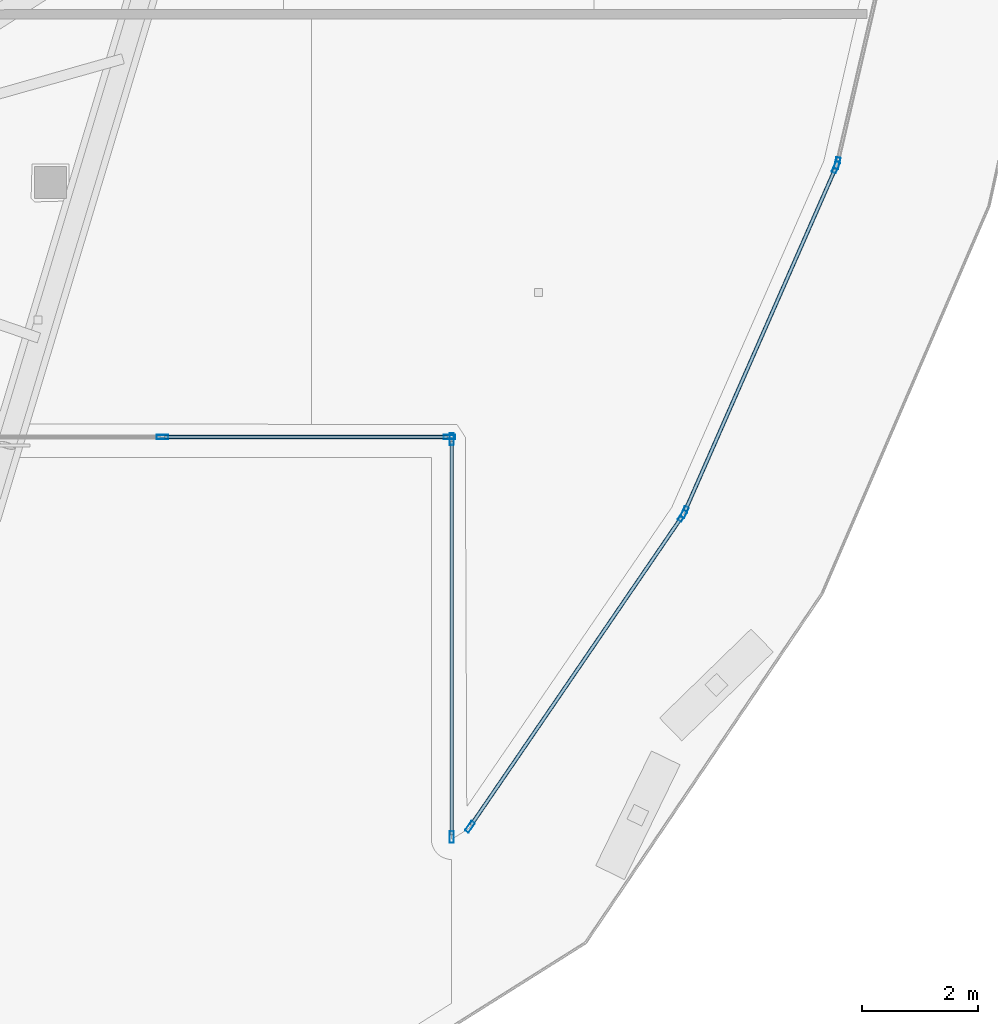
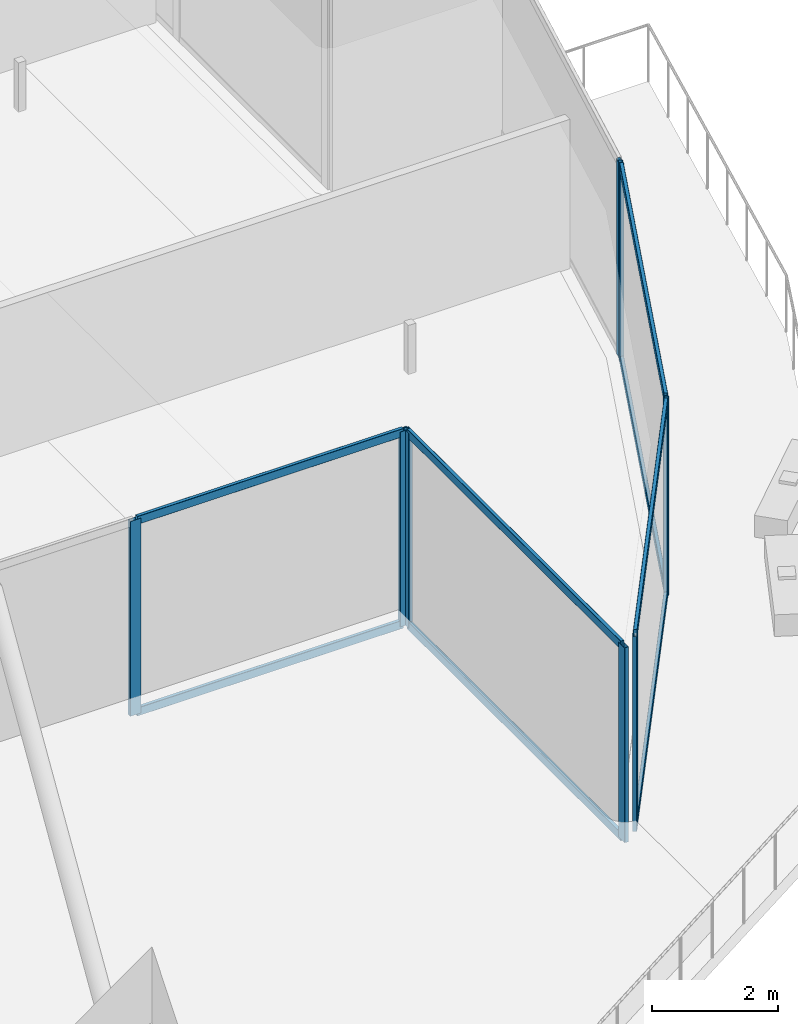
# One storey, part 11 of 38: 17 members, 5 elements without a shape of their own.
"""IFC4 building model written with IfcOpenShell, lengths in metres."""

import ifcopenshell
import ifcopenshell.guid

model = None  # the IFC model being written
_history = None  # IfcOwnerHistory: only IFC2X3 demands one
_inside = {}  # id of a spatial element -> (the spatial element, [elements in it])
_under = {}  # id of a project, library or spatial element -> (it, [spatial elements below it])
_declared = {}  # id of a project -> (the project, [libraries it declares])
_typed = {}  # id of a type object -> (the type object, [elements of that type])
_made_of = {}  # id of a material, layer set ... -> (it, [elements and type objects made of it])


def new_model(schema):
    """Start an empty IFC model of exactly this schema.

    Asked for "IFC4X3", IfcOpenShell would pick the latest addendum, in which some entities
    have other attributes; the version numbers below select the first issue.
    IFC2X3 requires an IfcOwnerHistory on every rooted entity: one is made here for all.
    """
    global model, _history
    if schema == "IFC4X3":
        model = ifcopenshell.file(schema_version=(4, 3, 0, 0))
    else:
        model = ifcopenshell.file(schema=schema)
    _inside.clear()
    _under.clear()
    _declared.clear()
    _typed.clear()
    _made_of.clear()
    _history = None
    if model.schema == "IFC2X3":
        org = make("IfcOrganization", Name="unknown")
        user = make(
            "IfcPersonAndOrganization",
            ThePerson=make("IfcPerson", FamilyName="unknown"),
            TheOrganization=org,
        )
        app = make(
            "IfcApplication",
            ApplicationDeveloper=org,
            Version="unknown",
            ApplicationFullName="unknown",
            ApplicationIdentifier="unknown",
        )
        _history = make(
            "IfcOwnerHistory",
            OwningUser=user,
            OwningApplication=app,
            ChangeAction="ADDED",
            CreationDate=0,
        )
    return model


def make(cls, **values):
    """One entity of the class cls with the attributes given. An attribute that is None is left unset."""
    return model.create_entity(
        cls, **{name: value for name, value in values.items() if value is not None}
    )


def rooted(cls, **values):
    """An entity with a GlobalId (a new one), such as an element, a storey or a relation."""
    return make(cls, GlobalId=ifcopenshell.guid.new(), OwnerHistory=_history, **values)


def si_unit(unit_type, name, prefix=None):
    """IfcSIUnit, for example si_unit("LENGTHUNIT", "METRE", prefix="MILLI")."""
    return make("IfcSIUnit", UnitType=unit_type, Prefix=prefix, Name=name)


def assignment(units):
    """IfcUnitAssignment: the units of a project."""
    return None if units is None else make("IfcUnitAssignment", Units=units)


def point(xyz):
    """IfcCartesianPoint."""
    return None if xyz is None else make("IfcCartesianPoint", Coordinates=xyz)


def direction(xyz):
    """IfcDirection."""
    return None if xyz is None else make("IfcDirection", DirectionRatios=xyz)


def frame(location, z_axis=None, x_axis=None):
    """IfcAxis2Placement3D, a coordinate frame: its origin and axes. An axis left out is left unset."""
    return make(
        "IfcAxis2Placement3D",
        Location=point(location),
        Axis=direction(z_axis),
        RefDirection=direction(x_axis),
    )


def frame_2d(location, x_axis=None):
    """IfcAxis2Placement2D, a coordinate frame in the plane: its origin and x axis."""
    return make(
        "IfcAxis2Placement2D", Location=point(location), RefDirection=direction(x_axis)
    )


def origin():
    """The frame at (0, 0, 0) with its axes left unset."""
    return frame((0.0, 0.0, 0.0))


def origin_2d():
    """The frame at (0, 0) in the plane with its x axis left unset."""
    return frame_2d((0.0, 0.0))


def place(relative_to, where):
    """IfcLocalPlacement: puts the frame where relative to a parent placement (None: the world)."""
    return make(
        "IfcLocalPlacement", PlacementRelTo=relative_to, RelativePlacement=where
    )


def context(
    kind, dimensions, precision=None, world=None, true_north=None, identifier=None
):
    """IfcGeometricRepresentationContext, for example the 3D "Model" context."""
    return make(
        "IfcGeometricRepresentationContext",
        ContextIdentifier=identifier,
        ContextType=kind,
        CoordinateSpaceDimension=dimensions,
        Precision=precision,
        WorldCoordinateSystem=world,
        TrueNorth=true_north,
    )


def subcontext(parent, identifier, kind, view, scale=None):
    """IfcGeometricRepresentationSubContext, for example "Body" below "Model"."""
    return make(
        "IfcGeometricRepresentationSubContext",
        ContextIdentifier=identifier,
        ContextType=kind,
        ParentContext=parent,
        TargetScale=scale,
        TargetView=view,
    )


def project(units=None, contexts=None):
    """IfcProject with its units and contexts."""
    return rooted(
        "IfcProject",
        Name="project",
        RepresentationContexts=contexts,
        UnitsInContext=assignment(units),
    )


def spatial(cls, under=None, at=None, **own):
    """A site, building, storey or space (cls), placed at a placement, below another one or the project."""
    s = rooted(cls, ObjectPlacement=at, **own)
    if under is not None:
        _under.setdefault(under.id(), (under, []))[1].append(s)
    return s


def profile(cls, at=None, kind="AREA", **sizes):
    """A parametric profile (cls). Its sizes go by their IFC names, for example OverallWidth=200.0."""
    return make(cls, ProfileType=kind, Position=at, **sizes)


def hollow_rectangle(**sizes):
    """IfcRectangleHollowProfileDef."""
    return profile("IfcRectangleHollowProfileDef", **sizes)


def extrude(swept, where, along, depth):
    """IfcExtrudedAreaSolid: the profile swept, set in the frame where, extruded along a direction by depth."""
    return make(
        "IfcExtrudedAreaSolid",
        SweptArea=swept,
        Position=where,
        ExtrudedDirection=direction(along),
        Depth=depth,
    )


def shape(context_of_items, identifier, shape_type, items):
    """IfcShapeRepresentation: the items that make up one representation, for example the "Body"."""
    return make(
        "IfcShapeRepresentation",
        ContextOfItems=context_of_items,
        RepresentationIdentifier=identifier,
        RepresentationType=shape_type,
        Items=items,
    )


def material(Name=None, Category=None):
    """IfcMaterial."""
    return make("IfcMaterial", Name=Name, Category=Category)


def layer(
    of_material, thickness, ventilated=None, Name=None, Category=None, Priority=None
):
    """IfcMaterialLayer: one layer of a wall or slab, of a material (None: an air gap)."""
    return make(
        "IfcMaterialLayer",
        Material=of_material,
        LayerThickness=thickness,
        IsVentilated=ventilated,
        Name=Name,
        Category=Category,
        Priority=Priority,
    )


def layer_set(layers, Name=None):
    """IfcMaterialLayerSet."""
    return make("IfcMaterialLayerSet", MaterialLayers=layers, LayerSetName=Name)


def material_profile(
    of_material, cross_section, Name=None, Category=None, Priority=None
):
    """IfcMaterialProfile: a cross section and its material."""
    return make(
        "IfcMaterialProfile",
        Name=Name,
        Material=of_material,
        Profile=cross_section,
        Priority=Priority,
        Category=Category,
    )


def profile_set(profiles, Name=None, composite=None):
    """IfcMaterialProfileSet."""
    return make(
        "IfcMaterialProfileSet",
        Name=Name,
        MaterialProfiles=profiles,
        CompositeProfile=composite,
    )


def made_of(thing, what):
    """Note that an element or type object is made of a material, layer set ...; save() writes the relation."""
    if what is not None:
        _made_of.setdefault(what.id(), (what, []))[1].append(thing)
    return thing


def type_object(cls, material=None, **own):
    """A type object (cls), such as IfcWallType, which elements share."""
    return made_of(rooted(cls, **own), material)


def element(
    cls,
    number,
    at=None,
    inside=None,
    cuts=None,
    type_object=None,
    material=None,
    context=None,
    identifier="Body",
    shape_type=None,
    held_by="IfcProductDefinitionShape",
    body=None,
    shapes=None,
    **own,
):
    """One element of the class cls, such as IfcWall. Its Tag is "e" and its number.

    at: its placement. inside: the storey or other place that contains it. cuts: it is an
    opening in that element (IfcRelVoidsElement). A single representation is given by context,
    identifier, shape_type and body (its items); several are given by shapes. held_by: the class
    of the entity that holds the representations. save() writes the other relations.
    """
    e = rooted(cls, Tag="e%d" % number, ObjectPlacement=at, **own)
    if body is not None:
        shapes = [shape(context, identifier, shape_type, body)]
    if shapes is not None:
        e.Representation = make(held_by, Representations=shapes)
    if inside is not None:
        _inside.setdefault(inside.id(), (inside, []))[1].append(e)
    if cuts is not None:
        rooted(
            "IfcRelVoidsElement", RelatingBuildingElement=cuts, RelatedOpeningElement=e
        )
    if type_object is not None:
        _typed.setdefault(type_object.id(), (type_object, []))[1].append(e)
    return made_of(e, material)


def aggregate(whole, parts):
    """IfcRelAggregates: a whole, such as a stair, and the parts it consists of."""
    return rooted("IfcRelAggregates", RelatingObject=whole, RelatedObjects=parts)


def save(model, path):
    """Write the relations noted so far, then the file.

    IfcRelAggregates (storeys below a building ...), IfcRelContainedInSpatialStructure (elements
    in a storey), IfcRelDefinesByType, IfcRelAssociatesMaterial and IfcRelDeclares: one each for
    every whole, place, type object, material and project.
    """
    for whole, parts in _under.values():
        aggregate(whole, parts)
    for where, things in _inside.values():
        rooted(
            "IfcRelContainedInSpatialStructure",
            RelatedElements=things,
            RelatingStructure=where,
        )
    for kind, things in _typed.values():
        rooted("IfcRelDefinesByType", RelatedObjects=things, RelatingType=kind)
    for what, things in _made_of.values():
        rooted("IfcRelAssociatesMaterial", RelatedObjects=things, RelatingMaterial=what)
    for by, libraries in _declared.values():
        rooted("IfcRelDeclares", RelatingContext=by, RelatedDefinitions=libraries)
    model.write(path)


model = new_model("IFC4")

# Units and contexts
model_context = context("Model", 3, precision=1e-05, world=origin(), true_north=direction((0.0, 1.0)))
body_context = subcontext(model_context, "Body", "Model", "MODEL_VIEW")
ifc_project = project(units=[si_unit("LENGTHUNIT", "METRE"), si_unit("AREAUNIT", "SQUARE_METRE"), si_unit("VOLUMEUNIT", "CUBIC_METRE"), si_unit("PLANEANGLEUNIT", "RADIAN"), si_unit("MASSUNIT", "GRAM", prefix="KILO")], contexts=[model_context])

# Site, building, storey
site_placement = place(None, origin())
site = spatial("IfcSite", under=ifc_project, at=site_placement, CompositionType="ELEMENT")
building_placement = place(site_placement, origin())
building = spatial("IfcBuilding", under=site, at=building_placement, Name="Qorvath Tower", CompositionType="ELEMENT")
storey_placement = place(building_placement, frame((0.0, 0.0, 158.39990234375)))
storey = spatial("IfcBuildingStorey", under=building, at=storey_placement, Name="L36", CompositionType="ELEMENT", Elevation=158.39990234375)

# Curtain wall, members
ifc_material_1 = material(Name="Anodised aluminium and triple low-E glass", Category="aluminium")
ifc_layer = layer(ifc_material_1, 0.179931640625)
ifc_layer_set = layer_set([ifc_layer], Name="CW-SYS-5")
curtain_wall_type = type_object("IfcCurtainWallType", Name="CW-SYS-5", PredefinedType="NOTDEFINED", material=ifc_layer_set)
curtain_wall_1_placement = place(storey_placement, origin())
curtain_wall_1 = element("IfcCurtainWall", 1, at=curtain_wall_1_placement, inside=storey, type_object=curtain_wall_type, Name="Curtain Wall CW-5 CW-T-L36-2.1", PredefinedType="NOTDEFINED")
ifc_material_2 = material(Name="Anodised aluminium 6063-T6", Category="aluminium")
ifc_material_profile_1 = material_profile(ifc_material_2, hollow_rectangle(XDim=0.074951171875, YDim=0.199951171875, WallThickness=0.00390625, InnerFilletRadius=0.00390625, OuterFilletRadius=0.008056640625, at=origin_2d()), Name="CWM 200x75")
ifc_profile_set_1 = profile_set([ifc_material_profile_1], Name="Anodised aluminium 6063-T6")
member_type_1 = type_object("IfcMemberType", Name="CWM-200", PredefinedType="MULLION", material=ifc_profile_set_1)
member_1_placement = place(storey_placement, frame((-9.86669921875, -15.840087890625, 0.0), z_axis=(0.0, 0.0, 1.0), x_axis=(0.0, 1.0, 0.0)))
member_1 = element("IfcMember", 2, at=member_1_placement, type_object=member_type_1, Name="CW-5 mullion 3", PredefinedType="MULLION", context=body_context, shape_type="SweptSolid", body=[
    extrude(hollow_rectangle(XDim=0.074951171875, YDim=0.199951171875, WallThickness=0.00390625, InnerFilletRadius=0.00390625, OuterFilletRadius=0.008056640625, at=origin_2d()), origin(), (0.0, 0.0, 1.0), 3.780029296875),
])
member_2_placement = place(storey_placement, frame((-4.91748046875, -15.840087890625, 0.0), z_axis=(0.0, 0.0, 1.0), x_axis=(0.0, 1.0, 0.0)))
member_2 = element("IfcMember", 3, at=member_2_placement, type_object=member_type_1, Name="CW-5 mullion 4", PredefinedType="MULLION", context=body_context, shape_type="SweptSolid", body=[
    extrude(hollow_rectangle(XDim=0.074951171875, YDim=0.199951171875, WallThickness=0.00390625, InnerFilletRadius=0.00390625, OuterFilletRadius=0.008056640625, at=origin_2d()), origin(), (0.0, 0.0, 1.0), 3.780029296875),
])

curtain_wall_2_placement = place(storey_placement, origin())
curtain_wall_2 = element("IfcCurtainWall", 4, at=curtain_wall_2_placement, inside=storey, type_object=curtain_wall_type, Name="Curtain Wall CW-5 CW-T-L36-3.1", PredefinedType="NOTDEFINED")
member_3_placement = place(storey_placement, frame((-4.8798828125, -15.877685546875, 0.0), z_axis=(0.0, 0.0, 1.0), x_axis=(1.0, 0.0, 0.0)))
member_3 = element("IfcMember", 5, at=member_3_placement, type_object=member_type_1, Name="CW-5 mullion 1", PredefinedType="MULLION", context=body_context, shape_type="SweptSolid", body=[
    extrude(hollow_rectangle(XDim=0.074951171875, YDim=0.199951171875, WallThickness=0.00390625, InnerFilletRadius=0.00390625, OuterFilletRadius=0.008056640625, at=origin_2d()), origin(), (0.0, 0.0, 1.0), 3.780029296875),
])
member_4_placement = place(storey_placement, frame((-4.8798828125, -22.73974609375, 0.0), z_axis=(0.0, 0.0, 1.0), x_axis=(1.0, 0.0, 0.0)))
member_4 = element("IfcMember", 6, at=member_4_placement, type_object=member_type_1, Name="CW-5 mullion 2", PredefinedType="MULLION", context=body_context, shape_type="SweptSolid", body=[
    extrude(hollow_rectangle(XDim=0.074951171875, YDim=0.199951171875, WallThickness=0.00390625, InnerFilletRadius=0.00390625, OuterFilletRadius=0.008056640625, at=origin_2d()), origin(), (0.0, 0.0, 1.0), 3.780029296875),
])

curtain_wall_3_placement = place(storey_placement, origin())
curtain_wall_3 = element("IfcCurtainWall", 7, at=curtain_wall_3_placement, inside=storey, type_object=curtain_wall_type, Name="Curtain Wall CW-5 CW-T-L36-5.1", PredefinedType="NOTDEFINED")
member_5_placement = place(storey_placement, frame((-4.56494140625, -22.56298828125, 0.0), z_axis=(0.0, 0.0, 1.0), x_axis=(-0.825559911065, 0.564314480802, 0.0)))
member_5 = element("IfcMember", 8, at=member_5_placement, type_object=member_type_1, Name="CW-5 mullion 1", PredefinedType="MULLION", context=body_context, shape_type="SweptSolid", body=[
    extrude(hollow_rectangle(XDim=0.074951171875, YDim=0.199951171875, WallThickness=0.00390625, InnerFilletRadius=0.00390625, OuterFilletRadius=0.008056640625, at=origin_2d()), origin(), (0.0, 0.0, 1.0), 3.780029296875),
])
member_6_placement = place(storey_placement, frame((-0.899658203125, -17.20068359375, 0.0), z_axis=(0.0, 0.0, 1.0), x_axis=(-0.825559911065, 0.564314480802, 0.0)))
member_6 = element("IfcMember", 9, at=member_6_placement, type_object=member_type_1, Name="CW-5 mullion 2", PredefinedType="MULLION", context=body_context, shape_type="SweptSolid", body=[
    extrude(hollow_rectangle(XDim=0.074951171875, YDim=0.199951171875, WallThickness=0.00390625, InnerFilletRadius=0.00390625, OuterFilletRadius=0.008056640625, at=origin_2d()), origin(), (0.0, 0.0, 1.0), 3.780029296875),
])

curtain_wall_4_placement = place(storey_placement, origin())
curtain_wall_4 = element("IfcCurtainWall", 10, at=curtain_wall_4_placement, inside=storey, type_object=curtain_wall_type, Name="Curtain Wall CW-5 CW-T-L36-6.1", PredefinedType="NOTDEFINED")
member_7_placement = place(storey_placement, frame((-0.86328125, -17.13525390625, 0.0), z_axis=(0.0, 0.0, 1.0), x_axis=(-0.915662747354, 0.401947425802, 0.0)))
member_7 = element("IfcMember", 11, at=member_7_placement, type_object=member_type_1, Name="CW-5 mullion 1", PredefinedType="MULLION", context=body_context, shape_type="SweptSolid", body=[
    extrude(hollow_rectangle(XDim=0.074951171875, YDim=0.199951171875, WallThickness=0.00390625, InnerFilletRadius=0.00390625, OuterFilletRadius=0.008056640625, at=origin_2d()), origin(), (0.0, 0.0, 1.0), 3.780029296875),
])
member_8_placement = place(storey_placement, frame((1.74755859375, -11.1875, 0.0), z_axis=(0.0, 0.0, 1.0), x_axis=(-0.915662747354, 0.401947425802, 0.0)))
member_8 = element("IfcMember", 12, at=member_8_placement, type_object=member_type_1, Name="CW-5 mullion 2", PredefinedType="MULLION", context=body_context, shape_type="SweptSolid", body=[
    extrude(hollow_rectangle(XDim=0.074951171875, YDim=0.199951171875, WallThickness=0.00390625, InnerFilletRadius=0.00390625, OuterFilletRadius=0.008056640625, at=origin_2d()), origin(), (0.0, 0.0, 1.0), 3.780029296875),
])

# Curtain wall, member
curtain_wall_5_placement = place(storey_placement, origin())
curtain_wall_5 = element("IfcCurtainWall", 13, at=curtain_wall_5_placement, inside=storey, type_object=curtain_wall_type, Name="Curtain Wall CW-5 CW-T-L36-7.1", PredefinedType="NOTDEFINED")
member_9_placement = place(storey_placement, frame((1.771240234375, -11.116455078125, 0.0), z_axis=(0.0, 0.0, 1.0), x_axis=(-0.974183272316, 0.225758614319, 0.0)))
member_9 = element("IfcMember", 14, at=member_9_placement, type_object=member_type_1, Name="CW-5 mullion 1", PredefinedType="MULLION", context=body_context, shape_type="SweptSolid", body=[
    extrude(hollow_rectangle(XDim=0.074951171875, YDim=0.199951171875, WallThickness=0.00390625, InnerFilletRadius=0.00390625, OuterFilletRadius=0.008056640625, at=origin_2d()), origin(), (0.0, 0.0, 1.0), 3.780029296875),
])
aggregate(curtain_wall_5, [member_9])

# Member
ifc_material_3 = material(Name="Anodised aluminium 6063-T6", Category="aluminium")
ifc_material_profile_2 = material_profile(ifc_material_3, hollow_rectangle(XDim=0.06494140625, YDim=0.159912109375, WallThickness=0.00341796875, InnerFilletRadius=0.00341796875, OuterFilletRadius=0.007080078125, at=origin_2d()), Name="CWT 160x65")
ifc_profile_set_2 = profile_set([ifc_material_profile_2], Name="Anodised aluminium 6063-T6")
member_type_2 = type_object("IfcMemberType", Name="CWT-160", PredefinedType="USERDEFINED", material=ifc_profile_set_2)
member_10_placement = place(storey_placement, frame((-9.8291015625, -15.840087890625, 0.032470703125), z_axis=(1.0, 0.0, 0.0), x_axis=(0.0, 1.0, 0.0)))
member_10 = element("IfcMember", 15, at=member_10_placement, type_object=member_type_2, Name="CW-5 transom 3.1", ObjectType="TRANSOM", PredefinedType="USERDEFINED", context=body_context, shape_type="SweptSolid", body=[
    extrude(hollow_rectangle(XDim=0.06494140625, YDim=0.159912109375, WallThickness=0.00341796875, InnerFilletRadius=0.00341796875, OuterFilletRadius=0.007080078125, at=origin_2d()), origin(), (0.0, 0.0, 1.0), 4.874267578125),
])

member_11_placement = place(storey_placement, frame((-9.8291015625, -15.840087890625, 3.74755859375), z_axis=(1.0, 0.0, 0.0), x_axis=(0.0, 1.0, 0.0)))
member_11 = element("IfcMember", 16, at=member_11_placement, type_object=member_type_2, Name="CW-5 transom 3.2", ObjectType="TRANSOM", PredefinedType="USERDEFINED", context=body_context, shape_type="SweptSolid", body=[
    extrude(hollow_rectangle(XDim=0.06494140625, YDim=0.159912109375, WallThickness=0.00341796875, InnerFilletRadius=0.00341796875, OuterFilletRadius=0.007080078125, at=origin_2d()), origin(), (0.0, 0.0, 1.0), 4.874267578125),
])

aggregate(curtain_wall_1, [member_1, member_2, member_10, member_11])

member_12_placement = place(storey_placement, frame((-4.8798828125, -15.9150390625, 0.032470703125), z_axis=(0.0, -1.0, 0.0), x_axis=(1.0, 0.0, 0.0)))
member_12 = element("IfcMember", 17, at=member_12_placement, type_object=member_type_2, Name="CW-5 transom 1.1", ObjectType="TRANSOM", PredefinedType="USERDEFINED", context=body_context, shape_type="SweptSolid", body=[
    extrude(hollow_rectangle(XDim=0.06494140625, YDim=0.159912109375, WallThickness=0.00341796875, InnerFilletRadius=0.00341796875, OuterFilletRadius=0.007080078125, at=origin_2d()), origin(), (0.0, 0.0, 1.0), 6.787353515625),
])

member_13_placement = place(storey_placement, frame((-4.8798828125, -15.9150390625, 3.74755859375), z_axis=(0.0, -1.0, 0.0), x_axis=(1.0, 0.0, 0.0)))
member_13 = element("IfcMember", 18, at=member_13_placement, type_object=member_type_2, Name="CW-5 transom 1.2", ObjectType="TRANSOM", PredefinedType="USERDEFINED", context=body_context, shape_type="SweptSolid", body=[
    extrude(hollow_rectangle(XDim=0.06494140625, YDim=0.159912109375, WallThickness=0.00341796875, InnerFilletRadius=0.00341796875, OuterFilletRadius=0.007080078125, at=origin_2d()), origin(), (0.0, 0.0, 1.0), 6.787353515625),
])

aggregate(curtain_wall_2, [member_3, member_4, member_12, member_13])

member_14_placement = place(storey_placement, frame((-4.5439453125, -22.531982421875, 0.032470703125), z_axis=(0.564341706119, 0.825541300441, 0.0), x_axis=(-0.825541300441, 0.564341706119, 0.0)))
member_14 = element("IfcMember", 19, at=member_14_placement, type_object=member_type_2, Name="CW-5 transom 1.1", ObjectType="TRANSOM", PredefinedType="USERDEFINED", context=body_context, shape_type="SweptSolid", body=[
    extrude(hollow_rectangle(XDim=0.06494140625, YDim=0.159912109375, WallThickness=0.00341796875, InnerFilletRadius=0.00341796875, OuterFilletRadius=0.007080078125, at=origin_2d()), origin(), (0.0, 0.0, 1.0), 6.42041015625),
])

member_15_placement = place(storey_placement, frame((-4.5439453125, -22.531982421875, 3.74755859375), z_axis=(0.564341706119, 0.825541300441, 0.0), x_axis=(-0.825541300441, 0.564341706119, 0.0)))
member_15 = element("IfcMember", 20, at=member_15_placement, type_object=member_type_2, Name="CW-5 transom 1.2", ObjectType="TRANSOM", PredefinedType="USERDEFINED", context=body_context, shape_type="SweptSolid", body=[
    extrude(hollow_rectangle(XDim=0.06494140625, YDim=0.159912109375, WallThickness=0.00341796875, InnerFilletRadius=0.00341796875, OuterFilletRadius=0.007080078125, at=origin_2d()), origin(), (0.0, 0.0, 1.0), 6.42041015625),
])

aggregate(curtain_wall_3, [member_5, member_6, member_14, member_15])

member_16_placement = place(storey_placement, frame((-0.84814453125, -17.10107421875, 0.032470703125), z_axis=(0.401939522326, 0.915666216693, 0.0), x_axis=(-0.915666216693, 0.401939522326, 0.0)))
member_16 = element("IfcMember", 21, at=member_16_placement, type_object=member_type_2, Name="CW-5 transom 1.1", ObjectType="TRANSOM", PredefinedType="USERDEFINED", context=body_context, shape_type="SweptSolid", body=[
    extrude(hollow_rectangle(XDim=0.06494140625, YDim=0.159912109375, WallThickness=0.00341796875, InnerFilletRadius=0.00341796875, OuterFilletRadius=0.007080078125, at=origin_2d()), origin(), (0.0, 0.0, 1.0), 6.4208984375),
])

member_17_placement = place(storey_placement, frame((-0.84814453125, -17.10107421875, 3.74755859375), z_axis=(0.401939522326, 0.915666216693, 0.0), x_axis=(-0.915666216693, 0.401939522326, 0.0)))
member_17 = element("IfcMember", 22, at=member_17_placement, type_object=member_type_2, Name="CW-5 transom 1.2", ObjectType="TRANSOM", PredefinedType="USERDEFINED", context=body_context, shape_type="SweptSolid", body=[
    extrude(hollow_rectangle(XDim=0.06494140625, YDim=0.159912109375, WallThickness=0.00341796875, InnerFilletRadius=0.00341796875, OuterFilletRadius=0.007080078125, at=origin_2d()), origin(), (0.0, 0.0, 1.0), 6.4208984375),
])

aggregate(curtain_wall_4, [member_7, member_8, member_16, member_17])

save(model, "model.ifc")
